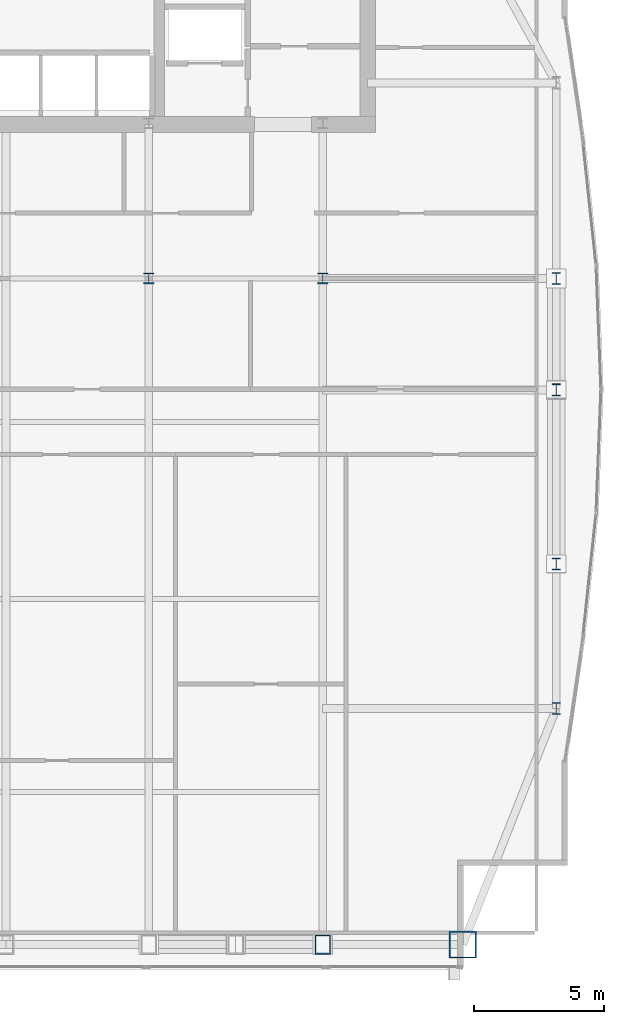
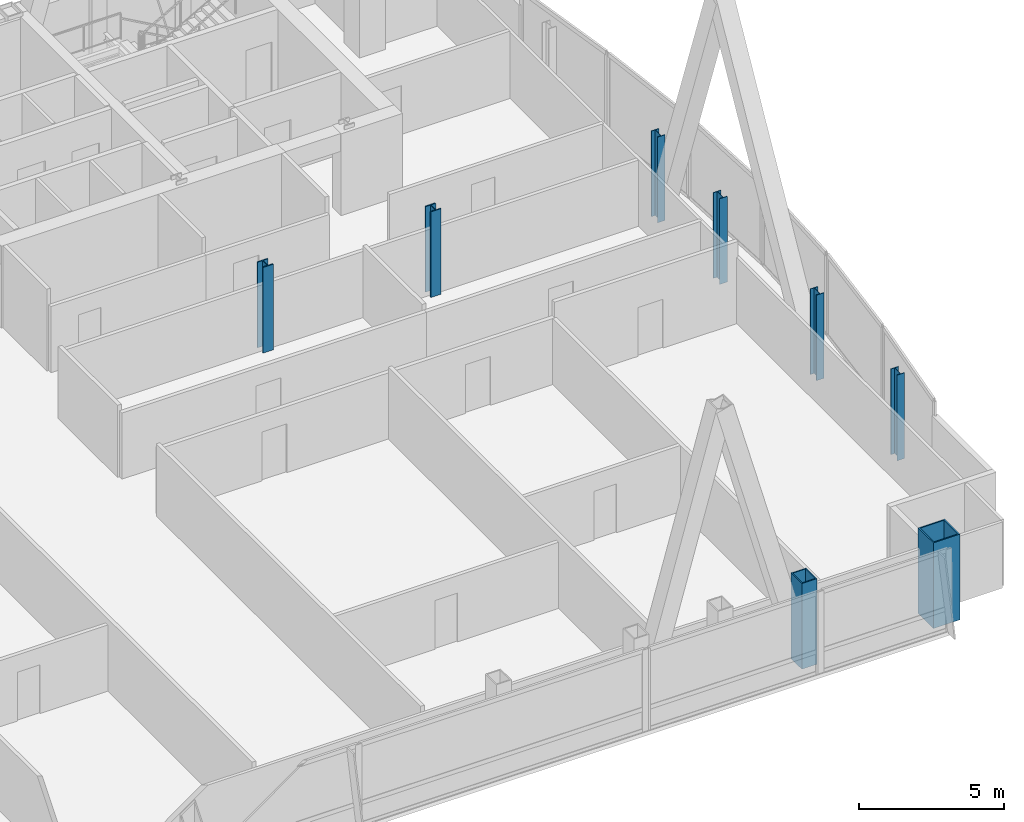
# One storey, part 2 of 31: 8 columns.
"""IFC4 building model written with IfcOpenShell, lengths in metres."""

from ifc_helpers import new_model, si_unit, direction, frame, origin, origin_2d, place, context, subcontext, project, spatial, hollow_rectangle, i_section, extrude, material, material_profile, profile_set, type_object, element, save


model = new_model("IFC4")

# Units and contexts
model_context = context("Model", 3, precision=1e-05, world=origin(), true_north=direction((0.0, 1.0)))
body_context = subcontext(model_context, "Body", "Model", "MODEL_VIEW")
ifc_project = project(units=[si_unit("LENGTHUNIT", "METRE"), si_unit("AREAUNIT", "SQUARE_METRE"), si_unit("VOLUMEUNIT", "CUBIC_METRE"), si_unit("PLANEANGLEUNIT", "RADIAN"), si_unit("MASSUNIT", "GRAM", prefix="KILO")], contexts=[model_context])

# Site, building, storey
site_placement = place(None, origin())
site = spatial("IfcSite", under=ifc_project, at=site_placement, CompositionType="ELEMENT")
building_placement = place(site_placement, origin())
building = spatial("IfcBuilding", under=site, at=building_placement, Name="Khoronbel Lancet Exchange", CompositionType="ELEMENT")
storey_placement = place(building_placement, frame((0.0, 0.0, 249.800048828125)))
storey = spatial("IfcBuildingStorey", under=building, at=storey_placement, Name="L64", CompositionType="ELEMENT", Elevation=249.800048828125)

# Columns
ifc_material_1 = material(Name="Steel S460", Category="steel")
ifc_material_profile_1 = material_profile(ifc_material_1, hollow_rectangle(XDim=0.60009765625, YDim=0.75, WallThickness=0.044921875, at=origin_2d()), Name="BOX 750x600x45")
ifc_profile_set_1 = profile_set([ifc_material_profile_1], Name="Steel S460")
column_type_1 = type_object("IfcColumnType", Name="COL-EC3", PredefinedType="COLUMN", material=ifc_profile_set_1)
column_1_placement = place(storey_placement, frame((54.675048828125, 10.14990234375, 0.0), z_axis=(0.0, 0.0, 1.0), x_axis=(1.0, 0.0, 0.0)))
element("IfcColumn", 1, at=column_1_placement, inside=storey, type_object=column_type_1, Name="Structural column SC-E2 L64", PredefinedType="COLUMN", context=body_context, shape_type="SweptSolid", body=[
    extrude(hollow_rectangle(XDim=0.60009765625, YDim=0.75, WallThickness=0.044921875, at=origin_2d()), origin(), (0.0, 0.0, 1.0), 3.599853515625),
])
ifc_material_2 = material(Name="Steel S355", Category="steel")
ifc_material_profile_2 = material_profile(ifc_material_2, i_section(OverallWidth=0.406005859375, OverallDepth=0.416015625, WebThickness=0.02978515625, FlangeThickness=0.048095703125, at=origin_2d()), Name="HD 400x382")
ifc_profile_set_2 = profile_set([ifc_material_profile_2], Name="Steel S355")
column_type_2 = type_object("IfcColumnType", Name="COL-IC3", PredefinedType="COLUMN", material=ifc_profile_set_2)
for number, where, z_axis, x_axis, name in (
    (2, (48.0, 35.699951171875, 0.0), (0.0, 0.0, 1.0), (1.0, 0.0, 0.0), "Spine gravity column TC3 L64"),
    (3, (54.675048828125, 35.699951171875, 0.0), (0.0, 0.0, 1.0), (1.0, 0.0, 0.0), "Spine gravity column TC4 L64"),
):
    element("IfcColumn", number, at=place(storey_placement, frame(where, z_axis=z_axis, x_axis=x_axis)), inside=storey, type_object=column_type_2, Name=name, PredefinedType="COLUMN", context=body_context, shape_type="SweptSolid", body=[
        extrude(i_section(OverallWidth=0.406005859375, OverallDepth=0.416015625, WebThickness=0.02978515625, FlangeThickness=0.048095703125, at=origin_2d()), origin(), (0.0, 0.0, 1.0), 3.599853515625),
    ])
ifc_material_profile_3 = material_profile(ifc_material_2, i_section(OverallWidth=0.300048828125, OverallDepth=0.449951171875, WebThickness=0.013916015625, FlangeThickness=0.02587890625, at=origin_2d()), Name="HEB 450")
ifc_profile_set_3 = profile_set([ifc_material_profile_3], Name="Steel S355")
column_type_3 = type_object("IfcColumnType", Name="COL-LC2", PredefinedType="COLUMN", material=ifc_profile_set_3)
for number, where, z_axis, x_axis, name in (
    (4, (63.6298828125, 19.199951171875, 0.0), (0.0, 0.0, 1.0), (1.0, 0.0, 0.0), "Structural column EC-1 L64"),
    (5, (63.6298828125, 24.75, 0.0), (0.0, 0.0, 1.0), (1.0, 0.0, 0.0), "Structural column EC-2 L64"),
    (6, (63.6298828125, 31.425048828125, 0.0), (0.0, 0.0, 1.0), (1.0, 0.0, 0.0), "Structural column EC-M L64"),
    (7, (63.6298828125, 35.699951171875, 0.0), (0.0, 0.0, 1.0), (1.0, 0.0, 0.0), "Structural column EC-3 L64"),
):
    element("IfcColumn", number, at=place(storey_placement, frame(where, z_axis=z_axis, x_axis=x_axis)), inside=storey, type_object=column_type_3, Name=name, PredefinedType="COLUMN", context=body_context, shape_type="SweptSolid", body=[
        extrude(i_section(OverallWidth=0.300048828125, OverallDepth=0.449951171875, WebThickness=0.013916015625, FlangeThickness=0.02587890625, at=origin_2d()), origin(), (0.0, 0.0, 1.0), 3.599853515625),
    ])
ifc_material_profile_4 = material_profile(ifc_material_1, hollow_rectangle(XDim=1.050048828125, YDim=1.050048828125, WallThickness=0.054931640625, at=origin_2d()), Name="BOX 1050x1050x55")
ifc_profile_set_4 = profile_set([ifc_material_profile_4], Name="Steel S460")
column_type_4 = type_object("IfcColumnType", Name="COL-MC6", PredefinedType="COLUMN", material=ifc_profile_set_4)
column_2_placement = place(storey_placement, frame((60.050048828125, 10.14990234375, 0.0), z_axis=(0.0, 0.0, 1.0), x_axis=(1.0, 0.0, 0.0)))
element("IfcColumn", 8, at=column_2_placement, inside=storey, type_object=column_type_4, Name="Structural column MC-SE L64", PredefinedType="COLUMN", context=body_context, shape_type="SweptSolid", body=[
    extrude(hollow_rectangle(XDim=1.050048828125, YDim=1.050048828125, WallThickness=0.054931640625, at=origin_2d()), origin(), (0.0, 0.0, 1.0), 3.599853515625),
])

save(model, "model.ifc")
